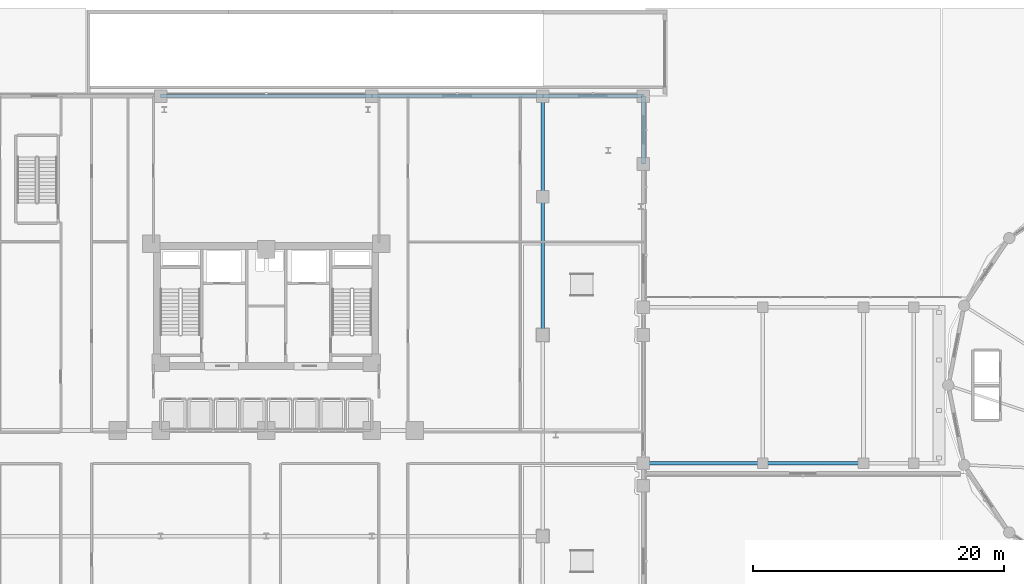
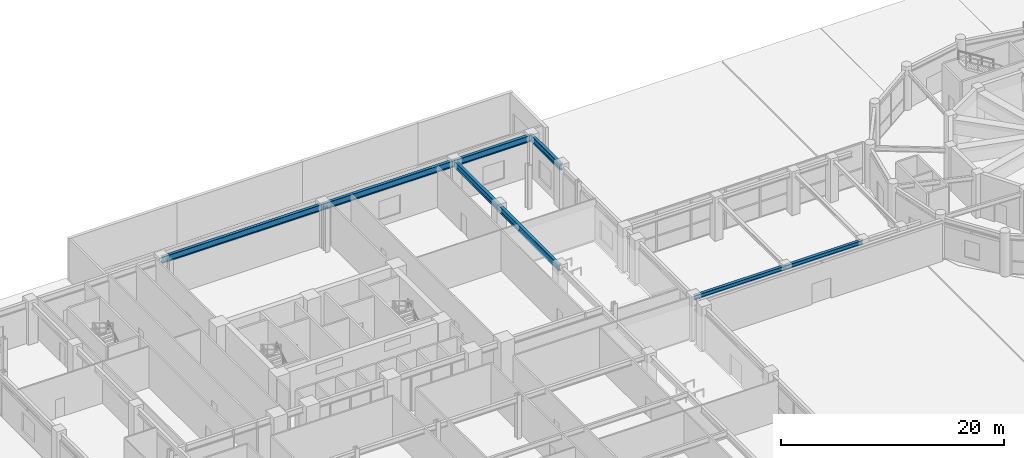
# One storey, part 10 of 40: 7 beams.
"""IFC4 building model written with IfcOpenShell, lengths in metres."""

from ifc_helpers import new_model, si_unit, derived_unit, direction, frame, origin, origin_2d, place, context, subcontext, project, spatial, i_section, extrude, source, transform, mapped, material, material_profile, profile_set, type_object, element, save


model = new_model("IFC4")

# Units and contexts
model_context = context("Model", 3, precision=1e-05, world=origin(), true_north=direction((0.0, 1.0)))
body_context = subcontext(model_context, "Body", "Model", "MODEL_VIEW")
ifc_project = project(units=[si_unit("LENGTHUNIT", "METRE"), si_unit("AREAUNIT", "SQUARE_METRE"), si_unit("VOLUMEUNIT", "CUBIC_METRE"), si_unit("PLANEANGLEUNIT", "RADIAN"), si_unit("MASSUNIT", "GRAM", prefix="KILO"), derived_unit("THERMALTRANSMITTANCEUNIT", [(si_unit("POWERUNIT", "WATT"), 1), (si_unit("LENGTHUNIT", "METRE"), -2), (si_unit("THERMODYNAMICTEMPERATUREUNIT", "KELVIN"), -1)])], contexts=[model_context])

# Site, building, storey
site_placement = place(None, origin())
site = spatial("IfcSite", under=ifc_project, at=site_placement, CompositionType="ELEMENT")
building_placement = place(site_placement, origin())
building = spatial("IfcBuilding", under=site, at=building_placement, Name="Korsvarv Bourse and Concert Hall", CompositionType="ELEMENT")
storey_placement = place(building_placement, origin())
storey = spatial("IfcBuildingStorey", under=building, at=storey_placement, Name="L00", CompositionType="ELEMENT", Elevation=0.0)

# Beams
ifc_material = material(Name="Steel S355", Category="steel")
ifc_material_profile_1 = material_profile(ifc_material, i_section(OverallWidth=0.300048828125, OverallDepth=0.489990234375, WebThickness=0.011962890625, FlangeThickness=0.02294921875, FilletRadius=0.02392578125, at=origin_2d()), Name="HEA 500")
ifc_profile_set_1 = profile_set([ifc_material_profile_1], Name="Steel S355")
beam_type_1 = type_object("IfcBeamType", Name="BM-HEA500", PredefinedType="BEAM", material=ifc_profile_set_1)
shared_shape_1 = source(origin(), body_context, "Body", "SweptSolid", [
    extrude(i_section(OverallWidth=0.300048828125, OverallDepth=0.489990234375, WebThickness=0.011962890625, FlangeThickness=0.02294921875, FilletRadius=0.02392578125, at=origin_2d()), origin(), (0.0, 0.0, 1.0), 9.5),
])
beam_1_placement = place(storey_placement, frame((66.0, 29.800048828125, 4.294921875), z_axis=(1.0, 0.0, 0.0), x_axis=(0.0, 1.0, 0.0)))
element("IfcBeam", 1, at=beam_1_placement, inside=storey, type_object=beam_type_1, Name="L00 beam B-10", PredefinedType="BEAM", context=body_context, shape_type="MappedRepresentation", body=[
    mapped(shared_shape_1, transform((0.0, 0.0, 0.0), scale=1.0)),
])
shared_shape_2 = source(origin(), body_context, "Body", "SweptSolid", [
    extrude(i_section(OverallWidth=0.300048828125, OverallDepth=0.489990234375, WebThickness=0.011962890625, FlangeThickness=0.02294921875, FilletRadius=0.02392578125, at=origin_2d()), origin(), (0.0, 0.0, 1.0), 8.0),
])
beam_2_placement = place(storey_placement, frame((75.5, 29.800048828125, 4.294921875), z_axis=(1.0, 0.0, 0.0), x_axis=(0.0, 1.0, 0.0)))
element("IfcBeam", 2, at=beam_2_placement, inside=storey, type_object=beam_type_1, Name="L00 beam B-10", PredefinedType="BEAM", context=body_context, shape_type="MappedRepresentation", body=[
    mapped(shared_shape_2, transform((0.0, 0.0, 0.0), scale=1.0)),
])
ifc_material_profile_2 = material_profile(ifc_material, i_section(OverallWidth=0.300048828125, OverallDepth=0.699951171875, WebThickness=0.01708984375, FlangeThickness=0.031982421875, FilletRadius=0.027099609375, at=origin_2d()), Name="HEB 700")
ifc_profile_set_2 = profile_set([ifc_material_profile_2], Name="Steel S355")
beam_type_2 = type_object("IfcBeamType", Name="BM-HEB700", PredefinedType="BEAM", material=ifc_profile_set_2)
shared_shape_3 = source(origin(), body_context, "Body", "SweptSolid", [
    extrude(i_section(OverallWidth=0.300048828125, OverallDepth=0.699951171875, WebThickness=0.01708984375, FlangeThickness=0.031982421875, FilletRadius=0.027099609375, at=origin_2d()), origin(), (0.0, 0.0, 1.0), 13.60009765625),
])
beam_3_placement = place(storey_placement, frame((44.39990234375, 59.0, 4.169921875), z_axis=(1.0, 0.0, 0.0), x_axis=(0.0, 1.0, 0.0)))
element("IfcBeam", 3, at=beam_3_placement, inside=storey, type_object=beam_type_2, Name="L00 beam B-03", PredefinedType="BEAM", context=body_context, shape_type="MappedRepresentation", body=[
    mapped(shared_shape_3, transform((0.0, 0.0, 0.0), scale=1.0)),
])
shared_shape_4 = source(origin(), body_context, "Body", "SweptSolid", [
    extrude(i_section(OverallWidth=0.300048828125, OverallDepth=0.699951171875, WebThickness=0.01708984375, FlangeThickness=0.031982421875, FilletRadius=0.027099609375, at=origin_2d()), origin(), (0.0, 0.0, 1.0), 5.39990234375),
])
beam_4_placement = place(storey_placement, frame((66.0, 53.60009765625, 4.169921875), z_axis=(0.0, 1.0, 0.0), x_axis=(-1.0, 0.0, 0.0)))
element("IfcBeam", 4, at=beam_4_placement, inside=storey, type_object=beam_type_2, Name="L00 beam B-03", PredefinedType="BEAM", context=body_context, shape_type="MappedRepresentation", body=[
    mapped(shared_shape_4, transform((0.0, 0.0, 0.0), scale=1.0)),
])
shared_shape_5 = source(origin(), body_context, "Body", "SweptSolid", [
    extrude(i_section(OverallWidth=0.300048828125, OverallDepth=0.699951171875, WebThickness=0.01708984375, FlangeThickness=0.031982421875, FilletRadius=0.027099609375, at=origin_2d()), origin(), (0.0, 0.0, 1.0), 8.0),
])
beam_5_placement = place(storey_placement, frame((58.0, 59.0, 4.169921875), z_axis=(1.0, 0.0, 0.0), x_axis=(0.0, 1.0, 0.0)))
element("IfcBeam", 5, at=beam_5_placement, inside=storey, type_object=beam_type_2, Name="L00 beam B-03", PredefinedType="BEAM", context=body_context, shape_type="MappedRepresentation", body=[
    mapped(shared_shape_5, transform((0.0, 0.0, 0.0), scale=1.0)),
])
shared_shape_6 = source(origin(), body_context, "Body", "SweptSolid", [
    extrude(i_section(OverallWidth=0.300048828125, OverallDepth=0.699951171875, WebThickness=0.01708984375, FlangeThickness=0.031982421875, FilletRadius=0.027099609375, at=origin_2d()), origin(), (0.0, 0.0, 1.0), 16.7998046875),
])
beam_6_placement = place(storey_placement, frame((27.60009765625, 59.0, 4.169921875), z_axis=(1.0, 0.0, 0.0), x_axis=(0.0, 1.0, 0.0)))
element("IfcBeam", 6, at=beam_6_placement, inside=storey, type_object=beam_type_2, Name="L00 beam B-03", PredefinedType="BEAM", context=body_context, shape_type="MappedRepresentation", body=[
    mapped(shared_shape_6, transform((0.0, 0.0, 0.0), scale=1.0)),
])
shared_shape_7 = source(origin(), body_context, "Body", "SweptSolid", [
    extrude(i_section(OverallWidth=0.300048828125, OverallDepth=0.699951171875, WebThickness=0.01708984375, FlangeThickness=0.031982421875, FilletRadius=0.027099609375, at=origin_2d()), origin(), (0.0, 0.0, 1.0), 19.0),
])
beam_7_placement = place(storey_placement, frame((58.0, 40.0, 4.169921875), z_axis=(0.0, 1.0, 0.0), x_axis=(-1.0, 0.0, 0.0)))
element("IfcBeam", 7, at=beam_7_placement, inside=storey, type_object=beam_type_2, Name="L00 beam B-03", PredefinedType="BEAM", context=body_context, shape_type="MappedRepresentation", body=[
    mapped(shared_shape_7, transform((0.0, 0.0, 0.0), scale=1.0)),
])

save(model, "model.ifc")
